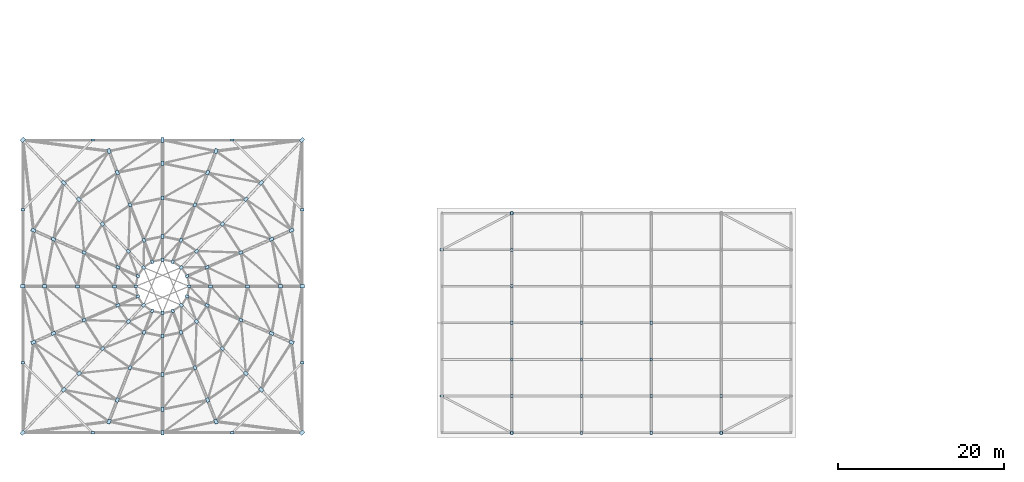
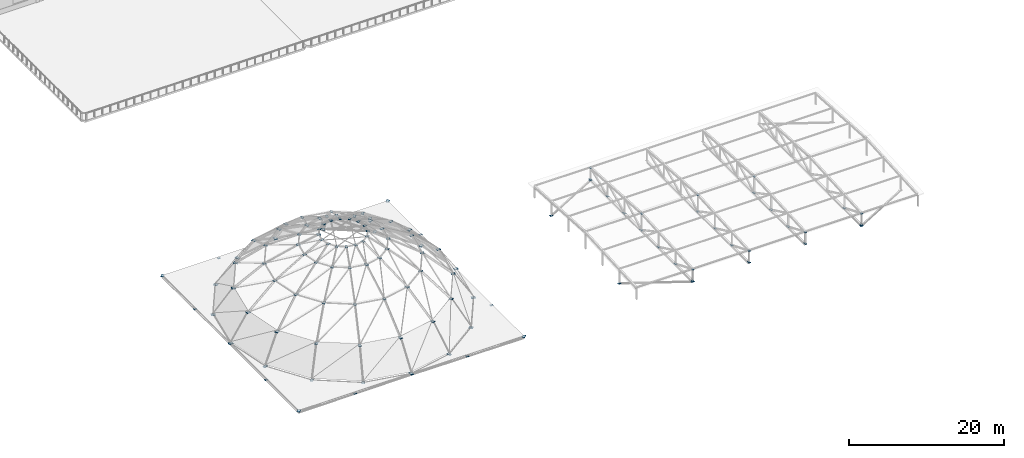
# One storey, part 33 of 49: 122 plates.
"""IFC4 building model written with IfcOpenShell, lengths in metres."""

from ifc_helpers import new_model, si_unit, direction, frame, origin, origin_2d, place, context, subcontext, project, spatial, rectangle, extrude, material, layer, layer_set, type_object, element, save


model = new_model("IFC4")

# Units and contexts
model_context = context("Model", 3, precision=1e-05, world=origin(), true_north=direction((0.0, 1.0)))
body_context = subcontext(model_context, "Body", "Model", "MODEL_VIEW")
ifc_project = project(units=[si_unit("LENGTHUNIT", "METRE"), si_unit("AREAUNIT", "SQUARE_METRE"), si_unit("VOLUMEUNIT", "CUBIC_METRE"), si_unit("PLANEANGLEUNIT", "RADIAN"), si_unit("MASSUNIT", "GRAM", prefix="KILO")], contexts=[model_context])

# Site, building, storey
site_placement = place(None, origin())
site = spatial("IfcSite", under=ifc_project, at=site_placement, CompositionType="ELEMENT")
building_placement = place(site_placement, origin())
building = spatial("IfcBuilding", under=site, at=building_placement, Name="Kemercrest Conservatory and Botanical Centre", CompositionType="ELEMENT")
storey_placement = place(building_placement, frame((0.0, 0.0, 13.199951171875)))
storey = spatial("IfcBuildingStorey", under=building, at=storey_placement, Name="L03", CompositionType="ELEMENT", Elevation=13.199951171875)

# Plates
ifc_material = material(Name="Steel CSA G40.21 350W", Category="steel")
ifc_layer_1 = layer(ifc_material, 0.050048828125)
ifc_layer_set_1 = layer_set([ifc_layer_1], Name="Steel CSA G40.21 350W")
plate_type_1 = type_object("IfcPlateType", Name="GN-01", PredefinedType="USERDEFINED", material=ifc_layer_set_1)
for number, where, z_axis, x_axis, name in (
    (1, (41.60009765625, 34.39990234375, -0.0048828125), (0.0, 0.0, 1.0), (1.0, 0.0, 0.0), "Conservatory star-node gusset assembly GN-01 R0-00"),
    (2, (40.3212890625, 41.13525390625, -0.0048828125), (0.0, 0.0, 1.0), (0.923879532511, 0.382683432365, 0.0), "Conservatory star-node gusset assembly GN-01 R0-01"),
    (3, (36.679443359375, 46.84521484375, -0.0048828125), (0.0, 0.0, 1.0), (0.707106781187, 0.707106781187, 0.0), "Conservatory star-node gusset assembly GN-01 R0-02"),
    (4, (31.22900390625, 50.660400390625, -0.0048828125), (0.0, 0.0, 1.0), (0.382683432365, 0.923879532511, 0.0), "Conservatory star-node gusset assembly GN-01 R0-03"),
    (5, (24.800048828125, 52.0, -0.0048828125), (0.0, 0.0, 1.0), (0.0, 1.0, 0.0), "Conservatory star-node gusset assembly GN-01 R0-04"),
    (6, (18.370849609375, 50.660400390625, -0.0048828125), (0.0, 0.0, 1.0), (-0.382683432365, 0.923879532511, 0.0), "Conservatory star-node gusset assembly GN-01 R0-05"),
    (7, (12.920654296875, 46.84521484375, -0.0048828125), (0.0, 0.0, 1.0), (-0.707106781187, 0.707106781187, 0.0), "Conservatory star-node gusset assembly GN-01 R0-06"),
    (8, (9.27880859375, 41.13525390625, -0.0048828125), (0.0, 0.0, 1.0), (-0.923879532511, 0.382683432365, 0.0), "Conservatory star-node gusset assembly GN-01 R0-07"),
    (9, (8.0, 34.39990234375, -0.0048828125), (0.0, 0.0, 1.0), (1.0, 0.0, 0.0), "Conservatory star-node gusset assembly GN-01 R0-08"),
    (10, (9.27880859375, 27.664794921875, -0.0048828125), (0.0, 0.0, 1.0), (0.923879532511, 0.382683432365, 0.0), "Conservatory star-node gusset assembly GN-01 R0-09"),
    (11, (12.920654296875, 21.954833984375, -0.0048828125), (0.0, 0.0, 1.0), (0.707106781187, 0.707106781187, 0.0), "Conservatory star-node gusset assembly GN-01 R0-10"),
    (12, (18.370849609375, 18.1396484375, -0.0048828125), (0.0, 0.0, 1.0), (0.382683432365, 0.923879532511, 0.0), "Conservatory star-node gusset assembly GN-01 R0-11"),
    (13, (24.800048828125, 16.800048828125, -0.0048828125), (0.0, 0.0, 1.0), (0.0, 1.0, 0.0), "Conservatory star-node gusset assembly GN-01 R0-12"),
    (14, (31.22900390625, 18.1396484375, -0.0048828125), (0.0, 0.0, 1.0), (-0.382683432365, 0.923879532511, 0.0), "Conservatory star-node gusset assembly GN-01 R0-13"),
    (15, (36.679443359375, 21.954833984375, -0.0048828125), (0.0, 0.0, 1.0), (-0.707106781187, 0.707106781187, 0.0), "Conservatory star-node gusset assembly GN-01 R0-14"),
    (16, (40.3212890625, 27.664794921875, -0.0048828125), (0.0, 0.0, 1.0), (-0.923879532511, 0.382683432365, 0.0), "Conservatory star-node gusset assembly GN-01 R0-15"),
    (17, (8.0, 16.800048828125, -0.0048828125), (0.0, 0.0, 1.0), (0.707106781187, 0.707106781187, 0.0), "Conservatory pendentive corner node GN-01 SW"),
    (18, (41.60009765625, 16.800048828125, -0.0048828125), (0.0, 0.0, 1.0), (0.707106781187, 0.707106781187, 0.0), "Conservatory pendentive corner node GN-01 SE"),
    (19, (41.60009765625, 52.0, -0.0048828125), (0.0, 0.0, 1.0), (0.707106781187, 0.707106781187, 0.0), "Conservatory pendentive corner node GN-01 NE"),
    (20, (8.0, 52.0, -0.0048828125), (0.0, 0.0, 1.0), (0.707106781187, 0.707106781187, 0.0), "Conservatory pendentive corner node GN-01 NW"),
):
    element("IfcPlate", number, at=place(storey_placement, frame(where, z_axis=z_axis, x_axis=x_axis)), inside=storey, type_object=plate_type_1, Name=name, ObjectType="GUSSET PLATE", PredefinedType="USERDEFINED", context=body_context, shape_type="SweptSolid", body=[
        extrude(rectangle(XDim=0.56005859375, YDim=0.39990234375, at=origin_2d()), origin(), (0.0, 0.0, 1.0), 0.050048828125),
    ])
ifc_layer_2 = layer(ifc_material, 0.044921875)
ifc_layer_set_2 = layer_set([ifc_layer_2], Name="Steel CSA G40.21 350W")
plate_type_2 = type_object("IfcPlateType", Name="GN-02", PredefinedType="USERDEFINED", material=ifc_layer_set_2)
for number, where, z_axis, x_axis, name in (
    (21, (39.0, 34.39990234375, 3.9775390625), (0.0, 0.0, 1.0), (1.0, 0.0, 0.0), "Conservatory star-node gusset assembly GN-02 R1-00"),
    (22, (37.919189453125, 40.063720703125, 3.9775390625), (0.0, 0.0, 1.0), (0.923879532511, 0.382683432365, 0.0), "Conservatory star-node gusset assembly GN-02 R1-01"),
    (23, (34.8408203125, 44.865234375, 3.9775390625), (0.0, 0.0, 1.0), (0.707106781187, 0.707106781187, 0.0), "Conservatory star-node gusset assembly GN-02 R1-02"),
    (24, (30.234130859375, 48.073486328125, 3.9775390625), (0.0, 0.0, 1.0), (0.382683432365, 0.923879532511, 0.0), "Conservatory star-node gusset assembly GN-02 R1-03"),
    (25, (24.800048828125, 49.199951171875, 3.9775390625), (0.0, 0.0, 1.0), (0.0, 1.0, 0.0), "Conservatory star-node gusset assembly GN-02 R1-04"),
    (26, (19.365966796875, 48.073486328125, 3.9775390625), (0.0, 0.0, 1.0), (-0.382683432365, 0.923879532511, 0.0), "Conservatory star-node gusset assembly GN-02 R1-05"),
    (27, (14.759033203125, 44.865234375, 3.9775390625), (0.0, 0.0, 1.0), (-0.707106781187, 0.707106781187, 0.0), "Conservatory star-node gusset assembly GN-02 R1-06"),
    (28, (11.680908203125, 40.063720703125, 3.9775390625), (0.0, 0.0, 1.0), (-0.923879532511, 0.382683432365, 0.0), "Conservatory star-node gusset assembly GN-02 R1-07"),
    (29, (10.60009765625, 34.39990234375, 3.9775390625), (0.0, 0.0, 1.0), (1.0, 0.0, 0.0), "Conservatory star-node gusset assembly GN-02 R1-08"),
    (30, (11.680908203125, 28.736328125, 3.9775390625), (0.0, 0.0, 1.0), (0.923879532511, 0.382683432365, 0.0), "Conservatory star-node gusset assembly GN-02 R1-09"),
    (31, (14.759033203125, 23.934814453125, 3.9775390625), (0.0, 0.0, 1.0), (0.707106781187, 0.707106781187, 0.0), "Conservatory star-node gusset assembly GN-02 R1-10"),
    (32, (19.365966796875, 20.7265625, 3.9775390625), (0.0, 0.0, 1.0), (0.382683432365, 0.923879532511, 0.0), "Conservatory star-node gusset assembly GN-02 R1-11"),
    (33, (24.800048828125, 19.60009765625, 3.9775390625), (0.0, 0.0, 1.0), (0.0, 1.0, 0.0), "Conservatory star-node gusset assembly GN-02 R1-12"),
    (34, (30.234130859375, 20.7265625, 3.9775390625), (0.0, 0.0, 1.0), (-0.382683432365, 0.923879532511, 0.0), "Conservatory star-node gusset assembly GN-02 R1-13"),
    (35, (34.8408203125, 23.934814453125, 3.9775390625), (0.0, 0.0, 1.0), (-0.707106781187, 0.707106781187, 0.0), "Conservatory star-node gusset assembly GN-02 R1-14"),
    (36, (37.919189453125, 28.736328125, 3.9775390625), (0.0, 0.0, 1.0), (-0.923879532511, 0.382683432365, 0.0), "Conservatory star-node gusset assembly GN-02 R1-15"),
):
    element("IfcPlate", number, at=place(storey_placement, frame(where, z_axis=z_axis, x_axis=x_axis)), inside=storey, type_object=plate_type_2, Name=name, ObjectType="GUSSET PLATE", PredefinedType="USERDEFINED", context=body_context, shape_type="SweptSolid", body=[
        extrude(rectangle(XDim=0.52001953125, YDim=0.3798828125, at=origin_2d()), origin(), (0.0, 0.0, 1.0), 0.044921875),
    ])
ifc_layer_3 = layer(ifc_material, 0.0400390625)
ifc_layer_set_3 = layer_set([ifc_layer_3], Name="Steel CSA G40.21 350W")
plate_type_3 = type_object("IfcPlateType", Name="GN-03", PredefinedType="USERDEFINED", material=ifc_layer_set_3)
for number, where, z_axis, x_axis, name in (
    (37, (35.0, 34.39990234375, 7.580078125), (0.0, 0.0, 1.0), (1.0, 0.0, 0.0), "Conservatory star-node gusset assembly GN-03 R2-00"),
    (38, (34.2236328125, 38.456298828125, 7.580078125), (0.0, 0.0, 1.0), (0.923879532511, 0.382683432365, 0.0), "Conservatory star-node gusset assembly GN-03 R2-01"),
    (39, (32.012451171875, 41.895263671875, 7.580078125), (0.0, 0.0, 1.0), (0.707106781187, 0.707106781187, 0.0), "Conservatory star-node gusset assembly GN-03 R2-02"),
    (40, (28.703369140625, 44.193115234375, 7.580078125), (0.0, 0.0, 1.0), (0.382683432365, 0.923879532511, 0.0), "Conservatory star-node gusset assembly GN-03 R2-03"),
    (41, (24.800048828125, 45.0, 7.580078125), (0.0, 0.0, 1.0), (0.0, 1.0, 0.0), "Conservatory star-node gusset assembly GN-03 R2-04"),
    (42, (20.896484375, 44.193115234375, 7.580078125), (0.0, 0.0, 1.0), (-0.382683432365, 0.923879532511, 0.0), "Conservatory star-node gusset assembly GN-03 R2-05"),
    (43, (17.58740234375, 41.895263671875, 7.580078125), (0.0, 0.0, 1.0), (-0.707106781187, 0.707106781187, 0.0), "Conservatory star-node gusset assembly GN-03 R2-06"),
    (44, (15.37646484375, 38.456298828125, 7.580078125), (0.0, 0.0, 1.0), (-0.923879532511, 0.382683432365, 0.0), "Conservatory star-node gusset assembly GN-03 R2-07"),
    (45, (14.60009765625, 34.39990234375, 7.580078125), (0.0, 0.0, 1.0), (1.0, 0.0, 0.0), "Conservatory star-node gusset assembly GN-03 R2-08"),
    (46, (15.37646484375, 30.343505859375, 7.580078125), (0.0, 0.0, 1.0), (0.923879532511, 0.382683432365, 0.0), "Conservatory star-node gusset assembly GN-03 R2-09"),
    (47, (17.58740234375, 26.90478515625, 7.580078125), (0.0, 0.0, 1.0), (0.707106781187, 0.707106781187, 0.0), "Conservatory star-node gusset assembly GN-03 R2-10"),
    (48, (20.896484375, 24.60693359375, 7.580078125), (0.0, 0.0, 1.0), (0.382683432365, 0.923879532511, 0.0), "Conservatory star-node gusset assembly GN-03 R2-11"),
    (49, (24.800048828125, 23.800048828125, 7.580078125), (0.0, 0.0, 1.0), (0.0, 1.0, 0.0), "Conservatory star-node gusset assembly GN-03 R2-12"),
    (50, (28.703369140625, 24.60693359375, 7.580078125), (0.0, 0.0, 1.0), (-0.382683432365, 0.923879532511, 0.0), "Conservatory star-node gusset assembly GN-03 R2-13"),
    (51, (32.012451171875, 26.90478515625, 7.580078125), (0.0, 0.0, 1.0), (-0.707106781187, 0.707106781187, 0.0), "Conservatory star-node gusset assembly GN-03 R2-14"),
    (52, (34.2236328125, 30.343505859375, 7.580078125), (0.0, 0.0, 1.0), (-0.923879532511, 0.382683432365, 0.0), "Conservatory star-node gusset assembly GN-03 R2-15"),
    (53, (30.60009765625, 34.39990234375, 10.179931640625), (0.0, 0.0, 1.0), (1.0, 0.0, 0.0), "Conservatory star-node gusset assembly GN-03 R3-00"),
    (54, (30.158447265625, 36.696044921875, 10.179931640625), (0.0, 0.0, 1.0), (0.923879532511, 0.382683432365, 0.0), "Conservatory star-node gusset assembly GN-03 R3-01"),
    (55, (28.901123046875, 38.642578125, 10.179931640625), (0.0, 0.0, 1.0), (0.707106781187, 0.707106781187, 0.0), "Conservatory star-node gusset assembly GN-03 R3-02"),
    (56, (27.01953125, 39.943359375, 10.179931640625), (0.0, 0.0, 1.0), (0.382683432365, 0.923879532511, 0.0), "Conservatory star-node gusset assembly GN-03 R3-03"),
    (57, (24.800048828125, 40.39990234375, 10.179931640625), (0.0, 0.0, 1.0), (0.0, 1.0, 0.0), "Conservatory star-node gusset assembly GN-03 R3-04"),
    (58, (22.580322265625, 39.943359375, 10.179931640625), (0.0, 0.0, 1.0), (-0.382683432365, 0.923879532511, 0.0), "Conservatory star-node gusset assembly GN-03 R3-05"),
    (59, (20.69873046875, 38.642578125, 10.179931640625), (0.0, 0.0, 1.0), (-0.707106781187, 0.707106781187, 0.0), "Conservatory star-node gusset assembly GN-03 R3-06"),
    (60, (19.44140625, 36.696044921875, 10.179931640625), (0.0, 0.0, 1.0), (-0.923879532511, 0.382683432365, 0.0), "Conservatory star-node gusset assembly GN-03 R3-07"),
    (61, (19.0, 34.39990234375, 10.179931640625), (0.0, 0.0, 1.0), (1.0, 0.0, 0.0), "Conservatory star-node gusset assembly GN-03 R3-08"),
    (62, (19.44140625, 32.10400390625, 10.179931640625), (0.0, 0.0, 1.0), (0.923879532511, 0.382683432365, 0.0), "Conservatory star-node gusset assembly GN-03 R3-09"),
    (63, (20.69873046875, 30.157470703125, 10.179931640625), (0.0, 0.0, 1.0), (0.707106781187, 0.707106781187, 0.0), "Conservatory star-node gusset assembly GN-03 R3-10"),
    (64, (22.580322265625, 28.856689453125, 10.179931640625), (0.0, 0.0, 1.0), (0.382683432365, 0.923879532511, 0.0), "Conservatory star-node gusset assembly GN-03 R3-11"),
    (65, (24.800048828125, 28.39990234375, 10.179931640625), (0.0, 0.0, 1.0), (0.0, 1.0, 0.0), "Conservatory star-node gusset assembly GN-03 R3-12"),
    (66, (27.01953125, 28.856689453125, 10.179931640625), (0.0, 0.0, 1.0), (-0.382683432365, 0.923879532511, 0.0), "Conservatory star-node gusset assembly GN-03 R3-13"),
    (67, (28.901123046875, 30.157470703125, 10.179931640625), (0.0, 0.0, 1.0), (-0.707106781187, 0.707106781187, 0.0), "Conservatory star-node gusset assembly GN-03 R3-14"),
    (68, (30.158447265625, 32.10400390625, 10.179931640625), (0.0, 0.0, 1.0), (-0.923879532511, 0.382683432365, 0.0), "Conservatory star-node gusset assembly GN-03 R3-15"),
):
    element("IfcPlate", number, at=place(storey_placement, frame(where, z_axis=z_axis, x_axis=x_axis)), inside=storey, type_object=plate_type_3, Name=name, ObjectType="GUSSET PLATE", PredefinedType="USERDEFINED", context=body_context, shape_type="SweptSolid", body=[
        extrude(rectangle(XDim=0.47998046875, YDim=0.35009765625, at=origin_2d()), origin(), (0.0, 0.0, 1.0), 0.0400390625),
    ])
ifc_layer_4 = layer(ifc_material, 0.033935546875)
ifc_layer_set_4 = layer_set([ifc_layer_4], Name="Steel CSA G40.21 350W")
plate_type_4 = type_object("IfcPlateType", Name="GN-04", PredefinedType="USERDEFINED", material=ifc_layer_set_4)
for number, where, z_axis, x_axis, name in (
    (69, (28.0, 34.39990234375, 11.5830078125), (0.0, 0.0, 1.0), (1.0, 0.0, 0.0), "Conservatory star-node gusset assembly GN-04 R4-00"),
    (70, (27.75634765625, 35.62451171875, 11.5830078125), (0.0, 0.0, 1.0), (0.923879532511, 0.382683432365, 0.0), "Conservatory star-node gusset assembly GN-04 R4-01"),
    (71, (27.062744140625, 36.66259765625, 11.5830078125), (0.0, 0.0, 1.0), (0.707106781187, 0.707106781187, 0.0), "Conservatory star-node gusset assembly GN-04 R4-02"),
    (72, (26.024658203125, 37.3564453125, 11.5830078125), (0.0, 0.0, 1.0), (0.382683432365, 0.923879532511, 0.0), "Conservatory star-node gusset assembly GN-04 R4-03"),
    (73, (24.800048828125, 37.60009765625, 11.5830078125), (0.0, 0.0, 1.0), (0.0, 1.0, 0.0), "Conservatory star-node gusset assembly GN-04 R4-04"),
    (74, (23.575439453125, 37.3564453125, 11.5830078125), (0.0, 0.0, 1.0), (-0.382683432365, 0.923879532511, 0.0), "Conservatory star-node gusset assembly GN-04 R4-05"),
    (75, (22.537353515625, 36.66259765625, 11.5830078125), (0.0, 0.0, 1.0), (-0.707106781187, 0.707106781187, 0.0), "Conservatory star-node gusset assembly GN-04 R4-06"),
    (76, (21.843505859375, 35.62451171875, 11.5830078125), (0.0, 0.0, 1.0), (-0.923879532511, 0.382683432365, 0.0), "Conservatory star-node gusset assembly GN-04 R4-07"),
    (77, (21.60009765625, 34.39990234375, 11.5830078125), (0.0, 0.0, 1.0), (1.0, 0.0, 0.0), "Conservatory star-node gusset assembly GN-04 R4-08"),
    (78, (21.843505859375, 33.17529296875, 11.5830078125), (0.0, 0.0, 1.0), (0.923879532511, 0.382683432365, 0.0), "Conservatory star-node gusset assembly GN-04 R4-09"),
    (79, (22.537353515625, 32.13720703125, 11.5830078125), (0.0, 0.0, 1.0), (0.707106781187, 0.707106781187, 0.0), "Conservatory star-node gusset assembly GN-04 R4-10"),
    (80, (23.575439453125, 31.443603515625, 11.5830078125), (0.0, 0.0, 1.0), (0.382683432365, 0.923879532511, 0.0), "Conservatory star-node gusset assembly GN-04 R4-11"),
    (81, (24.800048828125, 31.199951171875, 11.5830078125), (0.0, 0.0, 1.0), (0.0, 1.0, 0.0), "Conservatory star-node gusset assembly GN-04 R4-12"),
    (82, (26.024658203125, 31.443603515625, 11.5830078125), (0.0, 0.0, 1.0), (-0.382683432365, 0.923879532511, 0.0), "Conservatory star-node gusset assembly GN-04 R4-13"),
    (83, (27.062744140625, 32.13720703125, 11.5830078125), (0.0, 0.0, 1.0), (-0.707106781187, 0.707106781187, 0.0), "Conservatory star-node gusset assembly GN-04 R4-14"),
    (84, (27.75634765625, 33.17529296875, 11.5830078125), (0.0, 0.0, 1.0), (-0.923879532511, 0.382683432365, 0.0), "Conservatory star-node gusset assembly GN-04 R4-15"),
):
    element("IfcPlate", number, at=place(storey_placement, frame(where, z_axis=z_axis, x_axis=x_axis)), inside=storey, type_object=plate_type_4, Name=name, ObjectType="GUSSET PLATE", PredefinedType="USERDEFINED", context=body_context, shape_type="SweptSolid", body=[
        extrude(rectangle(XDim=0.43994140625, YDim=0.320068359375, at=origin_2d()), origin(), (0.0, 0.0, 1.0), 0.033935546875),
    ])
ifc_layer_5 = layer(ifc_material, 0.030029296875)
ifc_layer_set_5 = layer_set([ifc_layer_5], Name="Steel CSA G40.21 350W")
plate_type_5 = type_object("IfcPlateType", Name="GN-05", PredefinedType="USERDEFINED", material=ifc_layer_set_5)
for number, where, z_axis, x_axis, name in (
    (85, (8.0, 25.199951171875, -0.1650390625), (0.0, 0.0, 1.0), (1.0, 0.0, 0.0), "Roof wind brace gusset plate GN-05 01-A"),
    (86, (16.39990234375, 16.800048828125, -0.1650390625), (0.0, 0.0, 1.0), (1.0, 0.0, 0.0), "Roof wind brace gusset plate GN-05 01-B"),
    (87, (33.199951171875, 16.800048828125, -0.1650390625), (0.0, 0.0, 1.0), (1.0, 0.0, 0.0), "Roof wind brace gusset plate GN-05 02-A"),
    (88, (41.60009765625, 25.199951171875, -0.1650390625), (0.0, 0.0, 1.0), (1.0, 0.0, 0.0), "Roof wind brace gusset plate GN-05 02-B"),
    (89, (41.60009765625, 43.60009765625, -0.1650390625), (0.0, 0.0, 1.0), (1.0, 0.0, 0.0), "Roof wind brace gusset plate GN-05 03-A"),
    (90, (33.199951171875, 52.0, -0.1650390625), (0.0, 0.0, 1.0), (1.0, 0.0, 0.0), "Roof wind brace gusset plate GN-05 03-B"),
    (91, (16.39990234375, 52.0, -0.1650390625), (0.0, 0.0, 1.0), (1.0, 0.0, 0.0), "Roof wind brace gusset plate GN-05 04-A"),
    (92, (8.0, 43.60009765625, -0.1650390625), (0.0, 0.0, 1.0), (1.0, 0.0, 0.0), "Roof wind brace gusset plate GN-05 04-B"),
    (93, (58.39990234375, 21.199951171875, -0.1650390625), (0.0, 0.0, 1.0), (1.0, 0.0, 0.0), "Roof wind brace gusset plate GN-05 05-A"),
    (94, (66.800048828125, 16.800048828125, -0.1650390625), (0.0, 0.0, 1.0), (1.0, 0.0, 0.0), "Roof wind brace gusset plate GN-05 05-B"),
    (95, (92.0, 16.800048828125, -0.1650390625), (0.0, 0.0, 1.0), (1.0, 0.0, 0.0), "Roof wind brace gusset plate GN-05 06-A"),
    (96, (66.800048828125, 43.199951171875, -0.1650390625), (0.0, 0.0, 1.0), (1.0, 0.0, 0.0), "Roof wind brace gusset plate GN-05 08-A"),
    (97, (58.39990234375, 38.800048828125, -0.1650390625), (0.0, 0.0, 1.0), (1.0, 0.0, 0.0), "Roof wind brace gusset plate GN-05 08-B"),
    (98, (66.800048828125, 16.800048828125, 1.78515625), (0.0, 0.0, 1.0), (0.0, 1.0, 0.0), "Auditorium truss node gusset assembly GN-05 08-0"),
    (99, (66.800048828125, 16.800048828125, -0.02978515625), (0.0, 0.0, 1.0), (0.0, 1.0, 0.0), "Auditorium truss bottom chord gusset plate GN-05 08-0"),
    (100, (66.800048828125, 21.199951171875, -0.02978515625), (0.0, 0.0, 1.0), (0.0, 1.0, 0.0), "Auditorium truss bottom chord gusset plate GN-05 08-1"),
    (101, (66.800048828125, 25.60009765625, -0.02978515625), (0.0, 0.0, 1.0), (0.0, 1.0, 0.0), "Auditorium truss bottom chord gusset plate GN-05 08-2"),
    (102, (66.800048828125, 30.0, 2.5849609375), (0.0, 0.0, 1.0), (0.0, 1.0, 0.0), "Auditorium truss node gusset assembly GN-05 08-3"),
    (103, (66.800048828125, 30.0, -0.02978515625), (0.0, 0.0, 1.0), (0.0, 1.0, 0.0), "Auditorium truss bottom chord gusset plate GN-05 08-3"),
    (104, (66.800048828125, 34.39990234375, -0.02978515625), (0.0, 0.0, 1.0), (0.0, 1.0, 0.0), "Auditorium truss bottom chord gusset plate GN-05 08-4"),
    (105, (66.800048828125, 38.800048828125, -0.02978515625), (0.0, 0.0, 1.0), (0.0, 1.0, 0.0), "Auditorium truss bottom chord gusset plate GN-05 08-5"),
    (106, (66.800048828125, 43.199951171875, 1.78515625), (0.0, 0.0, 1.0), (0.0, 1.0, 0.0), "Auditorium truss node gusset assembly GN-05 08-6"),
    (107, (66.800048828125, 43.199951171875, -0.02978515625), (0.0, 0.0, 1.0), (0.0, 1.0, 0.0), "Auditorium truss bottom chord gusset plate GN-05 08-6"),
    (108, (75.199951171875, 16.800048828125, 1.78515625), (0.0, 0.0, 1.0), (0.0, 1.0, 0.0), "Auditorium truss node gusset assembly GN-05 09-0"),
    (109, (75.199951171875, 16.800048828125, -0.02978515625), (0.0, 0.0, 1.0), (0.0, 1.0, 0.0), "Auditorium truss bottom chord gusset plate GN-05 09-0"),
    (110, (75.199951171875, 21.199951171875, -0.02978515625), (0.0, 0.0, 1.0), (0.0, 1.0, 0.0), "Auditorium truss bottom chord gusset plate GN-05 09-1"),
    (111, (75.199951171875, 25.60009765625, -0.02978515625), (0.0, 0.0, 1.0), (0.0, 1.0, 0.0), "Auditorium truss bottom chord gusset plate GN-05 09-2"),
    (112, (75.199951171875, 30.0, 2.5849609375), (0.0, 0.0, 1.0), (0.0, 1.0, 0.0), "Auditorium truss node gusset assembly GN-05 09-3"),
    (113, (75.199951171875, 30.0, -0.02978515625), (0.0, 0.0, 1.0), (0.0, 1.0, 0.0), "Auditorium truss bottom chord gusset plate GN-05 09-3"),
    (114, (83.60009765625, 16.800048828125, 1.78515625), (0.0, 0.0, 1.0), (0.0, 1.0, 0.0), "Auditorium truss node gusset assembly GN-05 10-0"),
    (115, (83.60009765625, 16.800048828125, -0.02978515625), (0.0, 0.0, 1.0), (0.0, 1.0, 0.0), "Auditorium truss bottom chord gusset plate GN-05 10-0"),
    (116, (83.60009765625, 21.199951171875, -0.02978515625), (0.0, 0.0, 1.0), (0.0, 1.0, 0.0), "Auditorium truss bottom chord gusset plate GN-05 10-1"),
    (117, (83.60009765625, 25.60009765625, -0.02978515625), (0.0, 0.0, 1.0), (0.0, 1.0, 0.0), "Auditorium truss bottom chord gusset plate GN-05 10-2"),
    (118, (83.60009765625, 30.0, 2.5849609375), (0.0, 0.0, 1.0), (0.0, 1.0, 0.0), "Auditorium truss node gusset assembly GN-05 10-3"),
    (119, (83.60009765625, 30.0, -0.02978515625), (0.0, 0.0, 1.0), (0.0, 1.0, 0.0), "Auditorium truss bottom chord gusset plate GN-05 10-3"),
    (120, (92.0, 16.800048828125, 1.78515625), (0.0, 0.0, 1.0), (0.0, 1.0, 0.0), "Auditorium truss node gusset assembly GN-05 11-0"),
    (121, (92.0, 16.800048828125, -0.02978515625), (0.0, 0.0, 1.0), (0.0, 1.0, 0.0), "Auditorium truss bottom chord gusset plate GN-05 11-0"),
    (122, (92.0, 21.199951171875, -0.02978515625), (0.0, 0.0, 1.0), (0.0, 1.0, 0.0), "Auditorium truss bottom chord gusset plate GN-05 11-1"),
):
    element("IfcPlate", number, at=place(storey_placement, frame(where, z_axis=z_axis, x_axis=x_axis)), inside=storey, type_object=plate_type_5, Name=name, ObjectType="GUSSET PLATE", PredefinedType="USERDEFINED", context=body_context, shape_type="SweptSolid", body=[
        extrude(rectangle(XDim=0.39990234375, YDim=0.280029296875, at=origin_2d()), origin(), (0.0, 0.0, 1.0), 0.030029296875),
    ])

save(model, "model.ifc")
